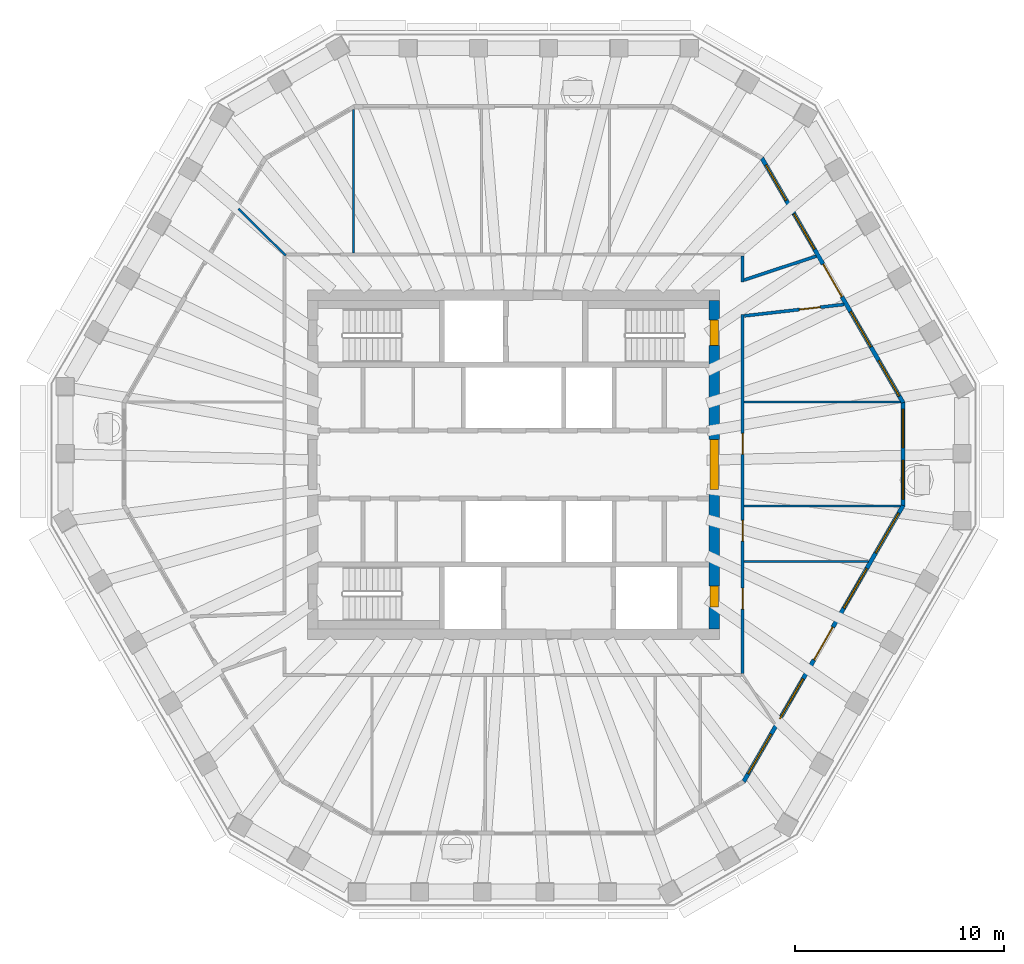
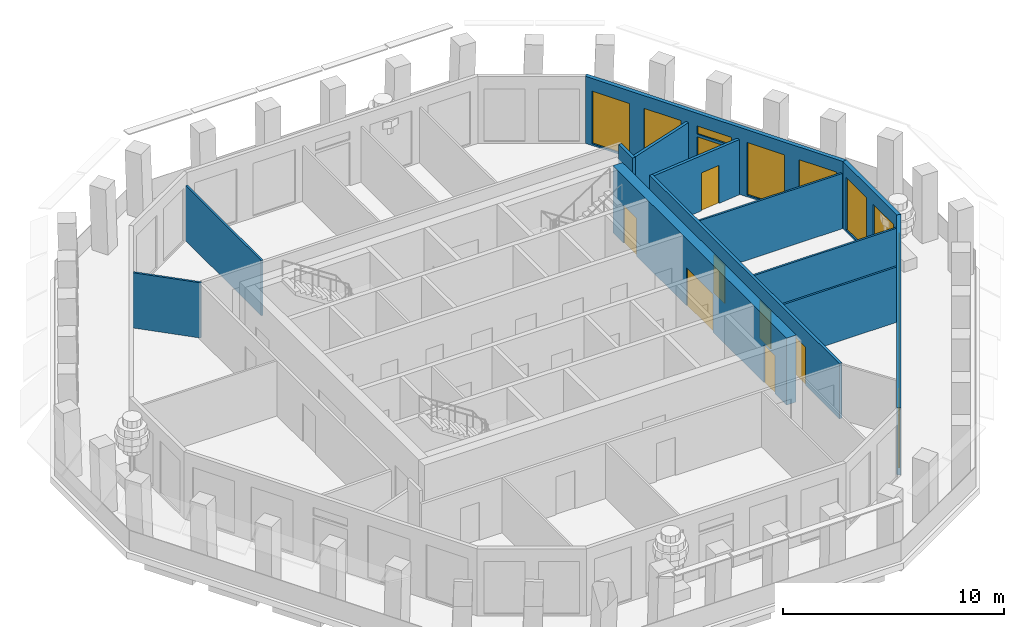
# One storey, part 6 of 11: 13 walls, 12 windows, 9 doors, 21 openings.
"""IFC4 building model written with IfcOpenShell, lengths in metres."""

from ifc_helpers import new_model, si_unit, direction, frame, frame_2d, origin, place, context, subcontext, project, spatial, polyline, rectangle, outline, extrude, material, layer, layer_set, type_object, element, fill, save


model = new_model("IFC4")

# Units and contexts
model_context = context("Model", 3, precision=1e-05, world=origin(), true_north=direction((0.0, 1.0)))
body_context = subcontext(model_context, "Body", "Model", "MODEL_VIEW")
ifc_project = project(units=[si_unit("LENGTHUNIT", "METRE"), si_unit("AREAUNIT", "SQUARE_METRE"), si_unit("VOLUMEUNIT", "CUBIC_METRE"), si_unit("PLANEANGLEUNIT", "RADIAN"), si_unit("MASSUNIT", "GRAM", prefix="KILO")], contexts=[model_context])

# Site, building, storey
site_placement = place(None, origin())
site = spatial("IfcSite", under=ifc_project, at=site_placement, CompositionType="ELEMENT")
building_placement = place(site_placement, origin())
building = spatial("IfcBuilding", under=site, at=building_placement, Name="Frailejon Research Tower", CompositionType="ELEMENT")
storey_placement = place(building_placement, frame((0.0, 0.0, 324.60009765625)))
storey = spatial("IfcBuildingStorey", under=building, at=storey_placement, Name="L72", CompositionType="ELEMENT", Elevation=324.60009765625)

# Wall, openings, doors
ifc_material_1 = material(Name="Concrete C50/60", Category="concrete")
ifc_layer_1 = layer(ifc_material_1, 0.5)
ifc_layer_set_1 = layer_set([ifc_layer_1], Name="Core shear wall 500 C50/60")
wall_type_1 = type_object("IfcWallType", Name="Core shear wall 500 C50/60", PredefinedType="SHEAR", material=ifc_layer_set_1)
wall_1_placement = place(storey_placement, frame((9.60009765625, -7.85009765625, 0.0), z_axis=(0.0, 0.0, 1.0), x_axis=(0.0, 1.0, 0.0)))
wall_1 = element("IfcWall", 1, at=wall_1_placement, inside=storey, type_object=wall_type_1, Name="Core shear wall", PredefinedType="SHEAR", context=body_context, shape_type="SweptSolid", body=[
    extrude(rectangle(XDim=15.7001953125, YDim=0.5, at=frame_2d((7.85009765625, 0.0))), origin(), (0.0, 0.0, 1.0), 3.699951171875),
])
opening_1_placement = place(wall_1_placement, frame((6.64990234375, 0.0, 0.0)))
opening_1 = element("IfcOpeningElement", 2, at=opening_1_placement, cuts=wall_1, Name="Opening D2", PredefinedType="OPENING", context=body_context, shape_type="SweptSolid", body=[
    extrude(rectangle(XDim=2.39990234375, YDim=2.10009765625, at=frame_2d((1.199951171875, 1.050048828125))), frame((0.0, 0.260009765625, 0.0), z_axis=(0.0, -1.0, 0.0), x_axis=(1.0, 0.0, 0.0)), (0.0, 0.0, 1.0), 0.52001953125),
])
opening_2_placement = place(wall_1_placement, frame((13.550048828125, 0.0, 0.0)))
opening_2 = element("IfcOpeningElement", 3, at=opening_2_placement, cuts=wall_1, Name="Opening D1", PredefinedType="OPENING", context=body_context, shape_type="SweptSolid", body=[
    extrude(rectangle(XDim=1.199951171875, YDim=2.10009765625, at=frame_2d((0.60009765625, 1.050048828125))), frame((0.0, 0.260009765625, 0.0), z_axis=(0.0, -1.0, 0.0), x_axis=(1.0, 0.0, 0.0)), (0.0, 0.0, 1.0), 0.52001953125),
])
opening_3_placement = place(wall_1_placement, frame((1.050048828125, 0.0, 0.0)))
opening_3 = element("IfcOpeningElement", 4, at=opening_3_placement, cuts=wall_1, Name="Opening D4", PredefinedType="OPENING", context=body_context, shape_type="SweptSolid", body=[
    extrude(rectangle(XDim=1.0, YDim=2.10009765625, at=frame_2d((0.5, 1.050048828125))), frame((0.0, 0.260009765625, 0.0), z_axis=(0.0, -1.0, 0.0), x_axis=(1.0, 0.0, 0.0)), (0.0, 0.0, 1.0), 0.52001953125),
])
ifc_material_2 = material(Name="Steel", Category="steel")
door_type_1 = type_object("IfcDoorType", Name="Lobby double door", OperationType="DOUBLE_DOOR_SINGLE_SWING", PredefinedType="DOOR", material=ifc_material_2)
door_1_placement = place(opening_1_placement, origin())
door_1 = element("IfcDoor", 5, at=door_1_placement, inside=storey, type_object=door_type_1, Name="Lobby door", OperationType="DOUBLE_DOOR_SINGLE_SWING", OverallHeight=2.10009765625, OverallWidth=2.39990234375, PredefinedType="DOOR", context=body_context, shape_type="SweptSolid", body=[
    extrude(rectangle(XDim=2.39990234375, YDim=2.10009765625, at=frame_2d((1.199951171875, 1.050048828125))), frame((0.0, 0.199951171875, 0.0), z_axis=(0.0, -1.0, 0.0), x_axis=(1.0, 0.0, 0.0)), (0.0, 0.0, 1.0), 0.39990234375),
])
fill(opening_1, door_1)
ifc_material_3 = material(Name="Steel", Category="steel")
door_type_2 = type_object("IfcDoorType", Name="Service door", OperationType="SINGLE_SWING_LEFT", PredefinedType="DOOR", material=ifc_material_3)
door_2_placement = place(opening_3_placement, origin())
door_2 = element("IfcDoor", 6, at=door_2_placement, inside=storey, type_object=door_type_2, Name="Riser door", OperationType="SINGLE_SWING_LEFT", OverallHeight=2.10009765625, OverallWidth=1.0, PredefinedType="DOOR", context=body_context, shape_type="SweptSolid", body=[
    extrude(rectangle(XDim=1.0, YDim=2.10009765625, at=frame_2d((0.5, 1.050048828125))), frame((0.0, 0.199951171875, 0.0), z_axis=(0.0, -1.0, 0.0), x_axis=(1.0, 0.0, 0.0)), (0.0, 0.0, 1.0), 0.39990234375),
])
fill(opening_3, door_2)
ifc_material_4 = material(Name="Steel", Category="steel")
door_type_3 = type_object("IfcDoorType", Name="Stair door", OperationType="SINGLE_SWING_LEFT", PredefinedType="DOOR", material=ifc_material_4)
door_3_placement = place(opening_2_placement, origin())
door_3 = element("IfcDoor", 7, at=door_3_placement, inside=storey, type_object=door_type_3, Name="Stair door ST3", OperationType="SINGLE_SWING_RIGHT", OverallHeight=2.10009765625, OverallWidth=1.199951171875, PredefinedType="DOOR", context=body_context, shape_type="SweptSolid", body=[
    extrude(rectangle(XDim=1.199951171875, YDim=2.10009765625, at=frame_2d((0.60009765625, 1.050048828125))), frame((0.0, 0.199951171875, 0.0), z_axis=(0.0, -1.0, 0.0), x_axis=(1.0, 0.0, 0.0)), (0.0, 0.0, 1.0), 0.39990234375),
])
fill(opening_2, door_3)

# Wall, opening, door
ifc_material_5 = material(Name="Gypsum board and masonry partition", Category="masonry")
ifc_layer_2 = layer(ifc_material_5, 0.14990234375)
ifc_layer_set_2 = layer_set([ifc_layer_2], Name="Corridor wall EI 60, gypsum on steel studs 150")
wall_type_2 = type_object("IfcWallType", Name="Corridor wall EI 60, gypsum on steel studs 150", PredefinedType="PARTITIONING", material=ifc_layer_set_2)
wall_2_placement = place(storey_placement, frame((11.0244140625, 7.1083984375, 0.0), z_axis=(0.0, 0.0, 1.0), x_axis=(0.993530704552, 0.113563810752, 0.0)))
wall_2 = element("IfcWall", 8, at=wall_2_placement, inside=storey, type_object=wall_type_2, Name="T:IW:L72:001", PredefinedType="PARTITIONING", context=body_context, shape_type="SweptSolid", body=[
    extrude(rectangle(XDim=4.79833984375, YDim=0.14990234375, at=frame_2d((2.399169921875, 0.0))), origin(), (0.0, 0.0, 1.0), 3.0498046875),
])
opening_4_placement = place(wall_2_placement, frame((2.655029296875, 0.0, 0.0)))
opening_4 = element("IfcOpeningElement", 9, at=opening_4_placement, cuts=wall_2, Name="Opening D2349", PredefinedType="OPENING", context=body_context, shape_type="SweptSolid", body=[
    extrude(rectangle(XDim=1.0, YDim=2.10009765625, at=frame_2d((0.5, 1.050048828125))), frame((0.0, 0.0849609375, 0.0), z_axis=(0.0, -1.0, 0.0), x_axis=(1.0, 0.0, 0.0)), (0.0, 0.0, 1.0), 0.169921875),
])
ifc_material_6 = material(Name="Timber door leaf", Category="wood")
door_type_4 = type_object("IfcDoorType", Name="Door single leaf, timber, steel frame 1000", OperationType="NOTDEFINED", PredefinedType="DOOR", material=ifc_material_6)
door_4_placement = place(opening_4_placement, origin())
door_4 = element("IfcDoor", 10, at=door_4_placement, inside=storey, type_object=door_type_4, Name="D2349", OperationType="SINGLE_SWING_RIGHT", OverallHeight=2.10009765625, OverallWidth=1.0, PredefinedType="DOOR", context=body_context, shape_type="SweptSolid", body=[
    extrude(rectangle(XDim=1.0, YDim=2.10009765625, at=frame_2d((0.5, 1.050048828125))), frame((0.0, 0.02490234375, 0.0), z_axis=(0.0, -1.0, 0.0), x_axis=(1.0, 0.0, 0.0)), (0.0, 0.0, 1.0), 0.050048828125),
])
fill(opening_4, door_4)

# Wall
wall_3_placement = place(storey_placement, frame((11.021240234375, 8.823486328125, 0.0), z_axis=(0.0, 0.0, 1.0), x_axis=(0.949442310498, 0.313941553535, 0.0)))
element("IfcWall", 11, at=wall_3_placement, inside=storey, type_object=wall_type_2, Name="T:IW:L72:002", PredefinedType="PARTITIONING", context=body_context, shape_type="SweptSolid", body=[
    extrude(rectangle(XDim=3.62158203125, YDim=0.14990234375, at=frame_2d((1.810791015625, 0.0))), origin(), (0.0, 0.0, 1.0), 3.0498046875),
])

# Wall, openings, doors
wall_4_placement = place(storey_placement, frame((10.949951171875, -9.97509765625, 0.0), z_axis=(0.0, 0.0, 1.0), x_axis=(0.0, 1.0, 0.0)))
wall_4 = element("IfcWall", 12, at=wall_4_placement, inside=storey, type_object=wall_type_2, Name="T:IW:L72:003", PredefinedType="PARTITIONING", context=body_context, shape_type="SweptSolid", body=[
    extrude(rectangle(XDim=17.150146484375, YDim=0.14990234375, at=frame_2d((8.5751953125, 0.0))), origin(), (0.0, 0.0, 1.0), 3.0498046875),
])
opening_5_placement = place(wall_4_placement, frame((10.467529296875, 0.0, 0.0)))
opening_5 = element("IfcOpeningElement", 13, at=opening_5_placement, cuts=wall_4, Name="Opening D2348", PredefinedType="OPENING", context=body_context, shape_type="SweptSolid", body=[
    extrude(rectangle(XDim=1.0, YDim=2.10009765625, at=frame_2d((0.5, 1.050048828125))), frame((0.0, 0.0849609375, 0.0), z_axis=(0.0, -1.0, 0.0), x_axis=(1.0, 0.0, 0.0)), (0.0, 0.0, 1.0), 0.169921875),
])
opening_6_placement = place(wall_4_placement, frame((3.066650390625, 0.0, 0.0)))
opening_6 = element("IfcOpeningElement", 14, at=opening_6_placement, cuts=wall_4, Name="Opening D2362", PredefinedType="OPENING", context=body_context, shape_type="SweptSolid", body=[
    extrude(rectangle(XDim=1.0, YDim=2.10009765625, at=frame_2d((0.5, 1.050048828125))), frame((0.0, 0.0849609375, 0.0), z_axis=(0.0, -1.0, 0.0), x_axis=(1.0, 0.0, 0.0)), (0.0, 0.0, 1.0), 0.169921875),
])
opening_7_placement = place(wall_4_placement, frame((6.3134765625, 0.0, 0.0)))
opening_7 = element("IfcOpeningElement", 15, at=opening_7_placement, cuts=wall_4, Name="Opening D2363", PredefinedType="OPENING", context=body_context, shape_type="SweptSolid", body=[
    extrude(rectangle(XDim=1.0, YDim=2.10009765625, at=frame_2d((0.5, 1.050048828125))), frame((0.0, 0.0849609375, 0.0), z_axis=(0.0, -1.0, 0.0), x_axis=(1.0, 0.0, 0.0)), (0.0, 0.0, 1.0), 0.169921875),
])
door_5_placement = place(opening_5_placement, origin())
door_5 = element("IfcDoor", 16, at=door_5_placement, inside=storey, type_object=door_type_4, Name="D2348", OperationType="SINGLE_SWING_RIGHT", OverallHeight=2.10009765625, OverallWidth=1.0, PredefinedType="DOOR", context=body_context, shape_type="SweptSolid", body=[
    extrude(rectangle(XDim=1.0, YDim=2.10009765625, at=frame_2d((0.5, 1.050048828125))), frame((0.0, 0.02490234375, 0.0), z_axis=(0.0, -1.0, 0.0), x_axis=(1.0, 0.0, 0.0)), (0.0, 0.0, 1.0), 0.050048828125),
])
fill(opening_5, door_5)
door_6_placement = place(opening_6_placement, origin())
door_6 = element("IfcDoor", 17, at=door_6_placement, inside=storey, type_object=door_type_4, Name="D2362", OperationType="SINGLE_SWING_RIGHT", OverallHeight=2.10009765625, OverallWidth=1.0, PredefinedType="DOOR", context=body_context, shape_type="SweptSolid", body=[
    extrude(rectangle(XDim=1.0, YDim=2.10009765625, at=frame_2d((0.5, 1.050048828125))), frame((0.0, 0.02490234375, 0.0), z_axis=(0.0, -1.0, 0.0), x_axis=(1.0, 0.0, 0.0)), (0.0, 0.0, 1.0), 0.050048828125),
])
fill(opening_6, door_6)
door_7_placement = place(opening_7_placement, origin())
door_7 = element("IfcDoor", 18, at=door_7_placement, inside=storey, type_object=door_type_4, Name="D2363", OperationType="SINGLE_SWING_LEFT", OverallHeight=2.10009765625, OverallWidth=1.0, PredefinedType="DOOR", context=body_context, shape_type="SweptSolid", body=[
    extrude(rectangle(XDim=1.0, YDim=2.10009765625, at=frame_2d((0.5, 1.050048828125))), frame((0.0, 0.02490234375, 0.0), z_axis=(0.0, -1.0, 0.0), x_axis=(1.0, 0.0, 0.0)), (0.0, 0.0, 1.0), 0.050048828125),
])
fill(opening_7, door_7)

# Walls
wall_5_placement = place(storey_placement, frame((10.949951171875, 8.72509765625, 0.0), z_axis=(0.0, 0.0, 1.0), x_axis=(0.0, 1.0, 0.0)))
element("IfcWall", 19, at=wall_5_placement, inside=storey, type_object=wall_type_2, Name="T:IW:L72:004", PredefinedType="PARTITIONING", context=body_context, shape_type="SweptSolid", body=[
    extrude(rectangle(XDim=1.25, YDim=0.14990234375, at=frame_2d((0.625, 0.0))), origin(), (0.0, 0.0, 1.0), 3.0498046875),
])
ifc_material_7 = material(Name="Gypsum board and masonry partition", Category="masonry")
ifc_layer_3 = layer(ifc_material_7, 0.10009765625)
ifc_layer_set_3 = layer_set([ifc_layer_3], Name="Partition, gypsum on steel studs 100")
wall_type_3 = type_object("IfcWallType", Name="Partition, gypsum on steel studs 100", PredefinedType="PARTITIONING", material=ifc_layer_set_3)
for number, where, z_axis, x_axis, name in (
    (20, (11.02490234375, 2.9853515625, 0.0), (0.0, 0.0, 1.0), (1.0, 0.0, 0.0), "T:IW:L72:012"),
    (21, (11.02490234375, -1.979736328125, 0.0), (0.0, 0.0, 1.0), (1.0, 0.0, 0.0), "T:IW:L72:013"),
):
    element("IfcWall", number, at=place(storey_placement, frame(where, z_axis=z_axis, x_axis=x_axis)), inside=storey, type_object=wall_type_3, Name=name, PredefinedType="PARTITIONING", context=body_context, shape_type="SweptSolid", body=[
        extrude(rectangle(XDim=7.4619140625, YDim=0.10009765625, at=frame_2d((3.73095703125, 0.0))), origin(), (0.0, 0.0, 1.0), 3.0498046875),
    ])
wall_6_placement = place(storey_placement, frame((-7.644287109375, 10.125, 0.0), z_axis=(0.0, 0.0, 1.0), x_axis=(0.0, 1.0, 0.0)))
element("IfcWall", 22, at=wall_6_placement, inside=storey, type_object=wall_type_3, Name="T:IW:L72:017", PredefinedType="PARTITIONING", context=body_context, shape_type="SweptSolid", body=[
    extrude(rectangle(XDim=6.843994140625, YDim=0.10009765625, at=frame_2d((3.421875, 0.0))), origin(), (0.0, 0.0, 1.0), 3.0498046875),
])
wall_7_placement = place(storey_placement, frame((-13.152099609375, 12.2255859375, 0.0), z_axis=(0.0, 0.0, 1.0), x_axis=(0.711405649546, -0.702781617427, 0.0)))
element("IfcWall", 23, at=wall_7_placement, inside=storey, type_object=wall_type_3, Name="T:IW:L72:018", PredefinedType="PARTITIONING", context=body_context, shape_type="SweptSolid", body=[
    extrude(rectangle(XDim=3.170654296875, YDim=0.10009765625, at=frame_2d((1.58544921875, 0.0))), origin(), (0.0, 0.0, 1.0), 3.0498046875),
])
wall_8_placement = place(storey_placement, frame((11.02490234375, -4.6279296875, 0.0), z_axis=(0.0, 0.0, 1.0), x_axis=(1.0, 0.0, 0.0)))
element("IfcWall", 24, at=wall_8_placement, inside=storey, type_object=wall_type_3, Name="T:IW:L72:024", PredefinedType="PARTITIONING", context=body_context, shape_type="SweptSolid", body=[
    extrude(rectangle(XDim=5.93310546875, YDim=0.10009765625, at=frame_2d((2.966552734375, 0.0))), origin(), (0.0, 0.0, 1.0), 3.0498046875),
])

# Wall, openings, windows
ifc_material_8 = material(Name="Concrete C40/50 precast window wall panel", Category="concrete")
ifc_layer_4 = layer(ifc_material_8, 0.199951171875)
ifc_layer_set_4 = layer_set([ifc_layer_4], Name="Window wall 200")
wall_type_4 = type_object("IfcWallType", Name="Window wall 200", PredefinedType="SOLIDWALL", material=ifc_layer_set_4)
wall_9_placement = place(storey_placement, frame((18.617919921875, -1.952880859375, 0.0), z_axis=(0.0, 0.0, 1.0), x_axis=(0.0, 1.0, 0.0)))
wall_9 = element("IfcWall", 25, at=wall_9_placement, inside=storey, type_object=wall_type_4, Name="Exterior wall L72", PredefinedType="SOLIDWALL", context=body_context, shape_type="SweptSolid", body=[
    extrude(outline(polyline([(-0.02685546875, -0.10009765625), (1.21435546875, -0.10009765625), (2.45556640625, -0.10009765625), (3.697021484375, -0.10009765625), (4.938232421875, -0.10009765625), (4.884521484375, 0.10009765625), (3.670166015625, 0.10009765625), (2.45556640625, 0.10009765625), (1.2412109375, 0.10009765625), (0.02685546875, 0.10009765625), (-0.02685546875, -0.10009765625)])), origin(), (0.0, 0.0, 1.0), 3.699951171875),
])
opening_8_placement = place(wall_9_placement, frame((0.302978515625, 0.0, 0.10009765625)))
opening_8 = element("IfcOpeningElement", 26, at=opening_8_placement, cuts=wall_9, Name="Opening W26", PredefinedType="OPENING", context=body_context, shape_type="SweptSolid", body=[
    extrude(rectangle(XDim=1.85009765625, YDim=2.89990234375, at=frame_2d((0.925048828125, 1.449951171875))), frame((0.0, 0.10986328125, 0.0), z_axis=(0.0, -1.0, 0.0), x_axis=(1.0, 0.0, 0.0)), (0.0, 0.0, 1.0), 0.219970703125),
])
opening_9_placement = place(wall_9_placement, frame((2.7587890625, 0.0, 0.10009765625)))
opening_9 = element("IfcOpeningElement", 27, at=opening_9_placement, cuts=wall_9, Name="Opening W26", PredefinedType="OPENING", context=body_context, shape_type="SweptSolid", body=[
    extrude(rectangle(XDim=1.85009765625, YDim=2.89990234375, at=frame_2d((0.925048828125, 1.449951171875))), frame((0.0, 0.10986328125, 0.0), z_axis=(0.0, -1.0, 0.0), x_axis=(1.0, 0.0, 0.0)), (0.0, 0.0, 1.0), 0.219970703125),
])
ifc_material_9 = material(Name="Aluminium framed double glazing", Category="aluminium")
window_type_1 = type_object("IfcWindowType", Name="Window 1850x2900", PartitioningType="SINGLE_PANEL", PredefinedType="WINDOW", material=ifc_material_9)
window_1_placement = place(opening_8_placement, origin())
window_1 = element("IfcWindow", 28, at=window_1_placement, inside=storey, type_object=window_type_1, Name="Window L72", OverallHeight=2.89990234375, OverallWidth=1.85009765625, PartitioningType="SINGLE_PANEL", PredefinedType="WINDOW", context=body_context, shape_type="SweptSolid", body=[
    extrude(rectangle(XDim=1.85009765625, YDim=2.89990234375, at=frame_2d((0.925048828125, 1.449951171875))), frame((0.0, 0.030029296875, 0.0), z_axis=(0.0, -1.0, 0.0), x_axis=(1.0, 0.0, 0.0)), (0.0, 0.0, 1.0), 0.06005859375),
])
fill(opening_8, window_1)
window_2_placement = place(opening_9_placement, origin())
window_2 = element("IfcWindow", 29, at=window_2_placement, inside=storey, type_object=window_type_1, Name="Window L72", OverallHeight=2.89990234375, OverallWidth=1.85009765625, PartitioningType="SINGLE_PANEL", PredefinedType="WINDOW", context=body_context, shape_type="SweptSolid", body=[
    extrude(rectangle(XDim=1.85009765625, YDim=2.89990234375, at=frame_2d((0.925048828125, 1.449951171875))), frame((0.0, 0.030029296875, 0.0), z_axis=(0.0, -1.0, 0.0), x_axis=(1.0, 0.0, 0.0)), (0.0, 0.0, 1.0), 0.06005859375),
])
fill(opening_9, window_2)

# Wall, openings, door, windows
wall_10_placement = place(storey_placement, frame((18.617919921875, 2.95849609375, 0.0), z_axis=(0.0, 0.0, 1.0), x_axis=(-0.500001755459, 0.866024390267, 0.0)))
wall_10 = element("IfcWall", 30, at=wall_10_placement, inside=storey, type_object=wall_type_4, Name="Exterior wall L72", PredefinedType="SOLIDWALL", context=body_context, shape_type="SweptSolid", body=[
    extrude(outline(polyline([(-0.02685546875, -0.10009765625), (1.01513671875, -0.10009765625), (2.057373046875, -0.10009765625), (3.099365234375, -0.10009765625), (4.1416015625, -0.10009765625), (5.18359375, -0.10009765625), (6.225830078125, -0.10009765625), (7.267822265625, -0.10009765625), (8.31005859375, -0.10009765625), (9.35205078125, -0.10009765625), (10.394287109375, -0.10009765625), (11.436279296875, -0.10009765625), (12.478515625, -0.10009765625), (13.5205078125, -0.10009765625), (13.466796875, 0.10009765625), (12.432861328125, 0.10009765625), (11.399169921875, 0.10009765625), (10.365234375, 0.10009765625), (9.33154296875, 0.10009765625), (8.297607421875, 0.10009765625), (7.263671875, 0.10009765625), (6.22998046875, 0.10009765625), (5.196044921875, 0.10009765625), (4.162109375, 0.10009765625), (3.12841796875, 0.10009765625), (2.094482421875, 0.10009765625), (1.060791015625, 0.10009765625), (0.02685546875, 0.10009765625), (-0.02685546875, -0.10009765625)])), origin(), (0.0, 0.0, 1.0), 3.699951171875),
])
opening_10_placement = place(wall_10_placement, frame((0.374267578125, 0.0, 0.10009765625)))
opening_10 = element("IfcOpeningElement", 31, at=opening_10_placement, cuts=wall_10, Name="Opening W27", PredefinedType="OPENING", context=body_context, shape_type="SweptSolid", body=[
    extrude(rectangle(XDim=1.949951171875, YDim=2.89990234375, at=frame_2d((0.97509765625, 1.449951171875))), frame((0.0, 0.10986328125, 0.0), z_axis=(0.0, -1.0, 0.0), x_axis=(1.0, 0.0, 0.0)), (0.0, 0.0, 1.0), 0.219970703125),
])
opening_11_placement = place(wall_10_placement, frame((3.072998046875, 0.0, 0.10009765625)))
opening_11 = element("IfcOpeningElement", 32, at=opening_11_placement, cuts=wall_10, Name="Opening W27", PredefinedType="OPENING", context=body_context, shape_type="SweptSolid", body=[
    extrude(rectangle(XDim=1.949951171875, YDim=2.89990234375, at=frame_2d((0.97509765625, 1.449951171875))), frame((0.0, 0.10986328125, 0.0), z_axis=(0.0, -1.0, 0.0), x_axis=(1.0, 0.0, 0.0)), (0.0, 0.0, 1.0), 0.219970703125),
])
opening_12_placement = place(wall_10_placement, frame((5.8466796875, 0.0, 0.0)))
opening_12 = element("IfcOpeningElement", 33, at=opening_12_placement, cuts=wall_10, Name="Opening LG72-1", PredefinedType="OPENING", context=body_context, shape_type="SweptSolid", body=[
    extrude(rectangle(XDim=1.800048828125, YDim=2.39990234375, at=frame_2d((0.89990234375, 1.199951171875))), frame((0.0, 0.10986328125, 0.0), z_axis=(0.0, -1.0, 0.0), x_axis=(1.0, 0.0, 0.0)), (0.0, 0.0, 1.0), 0.219970703125),
])
opening_13_placement = place(wall_10_placement, frame((5.8466796875, 0.0, 2.550048828125)))
opening_13 = element("IfcOpeningElement", 34, at=opening_13_placement, cuts=wall_10, Name="Opening W1", PredefinedType="OPENING", context=body_context, shape_type="SweptSolid", body=[
    extrude(rectangle(XDim=1.800048828125, YDim=0.449951171875, at=frame_2d((0.89990234375, 0.22509765625))), frame((0.0, 0.10986328125, 0.0), z_axis=(0.0, -1.0, 0.0), x_axis=(1.0, 0.0, 0.0)), (0.0, 0.0, 1.0), 0.219970703125),
])
opening_14_placement = place(wall_10_placement, frame((8.47021484375, 0.0, 0.10009765625)))
opening_14 = element("IfcOpeningElement", 35, at=opening_14_placement, cuts=wall_10, Name="Opening W27", PredefinedType="OPENING", context=body_context, shape_type="SweptSolid", body=[
    extrude(rectangle(XDim=1.949951171875, YDim=2.89990234375, at=frame_2d((0.97509765625, 1.449951171875))), frame((0.0, 0.10986328125, 0.0), z_axis=(0.0, -1.0, 0.0), x_axis=(1.0, 0.0, 0.0)), (0.0, 0.0, 1.0), 0.219970703125),
])
opening_15_placement = place(wall_10_placement, frame((11.1689453125, 0.0, 0.10009765625)))
opening_15 = element("IfcOpeningElement", 36, at=opening_15_placement, cuts=wall_10, Name="Opening W27", PredefinedType="OPENING", context=body_context, shape_type="SweptSolid", body=[
    extrude(rectangle(XDim=1.949951171875, YDim=2.89990234375, at=frame_2d((0.97509765625, 1.449951171875))), frame((0.0, 0.10986328125, 0.0), z_axis=(0.0, -1.0, 0.0), x_axis=(1.0, 0.0, 0.0)), (0.0, 0.0, 1.0), 0.219970703125),
])
ifc_material_10 = material(Name="Aluminium framed glazed door leaf", Category="aluminium")
door_type_5 = type_object("IfcDoorType", Name="Loggia door 1800x2400", OperationType="DOUBLE_DOOR_SINGLE_SWING", PredefinedType="DOOR", material=ifc_material_10)
door_8_placement = place(opening_12_placement, origin())
door_8 = element("IfcDoor", 37, at=door_8_placement, inside=storey, type_object=door_type_5, Name="Door LG72-1", OperationType="DOUBLE_DOOR_SINGLE_SWING", OverallHeight=2.39990234375, OverallWidth=1.800048828125, PredefinedType="DOOR", context=body_context, shape_type="SweptSolid", body=[
    extrude(rectangle(XDim=1.800048828125, YDim=2.39990234375, at=frame_2d((0.89990234375, 1.199951171875))), frame((0.0, 0.02490234375, 0.0), z_axis=(0.0, -1.0, 0.0), x_axis=(1.0, 0.0, 0.0)), (0.0, 0.0, 1.0), 0.050048828125),
])
fill(opening_12, door_8)
ifc_material_11 = material(Name="Aluminium framed double glazing", Category="aluminium")
window_type_2 = type_object("IfcWindowType", Name="Window 1800x450", PartitioningType="SINGLE_PANEL", PredefinedType="WINDOW", material=ifc_material_11)
window_3_placement = place(opening_13_placement, origin())
window_3 = element("IfcWindow", 38, at=window_3_placement, inside=storey, type_object=window_type_2, Name="Window L72", OverallHeight=0.449951171875, OverallWidth=1.800048828125, PartitioningType="SINGLE_PANEL", PredefinedType="WINDOW", context=body_context, shape_type="SweptSolid", body=[
    extrude(rectangle(XDim=1.800048828125, YDim=0.449951171875, at=frame_2d((0.89990234375, 0.22509765625))), frame((0.0, 0.030029296875, 0.0), z_axis=(0.0, -1.0, 0.0), x_axis=(1.0, 0.0, 0.0)), (0.0, 0.0, 1.0), 0.06005859375),
])
fill(opening_13, window_3)
ifc_material_12 = material(Name="Aluminium framed double glazing", Category="aluminium")
window_type_3 = type_object("IfcWindowType", Name="Window 1950x2900", PartitioningType="SINGLE_PANEL", PredefinedType="WINDOW", material=ifc_material_12)
window_4_placement = place(opening_10_placement, origin())
window_4 = element("IfcWindow", 39, at=window_4_placement, inside=storey, type_object=window_type_3, Name="Window L72", OverallHeight=2.89990234375, OverallWidth=1.949951171875, PartitioningType="SINGLE_PANEL", PredefinedType="WINDOW", context=body_context, shape_type="SweptSolid", body=[
    extrude(rectangle(XDim=1.949951171875, YDim=2.89990234375, at=frame_2d((0.97509765625, 1.449951171875))), frame((0.0, 0.030029296875, 0.0), z_axis=(0.0, -1.0, 0.0), x_axis=(1.0, 0.0, 0.0)), (0.0, 0.0, 1.0), 0.06005859375),
])
fill(opening_10, window_4)
window_5_placement = place(opening_11_placement, origin())
window_5 = element("IfcWindow", 40, at=window_5_placement, inside=storey, type_object=window_type_3, Name="Window L72", OverallHeight=2.89990234375, OverallWidth=1.949951171875, PartitioningType="SINGLE_PANEL", PredefinedType="WINDOW", context=body_context, shape_type="SweptSolid", body=[
    extrude(rectangle(XDim=1.949951171875, YDim=2.89990234375, at=frame_2d((0.97509765625, 1.449951171875))), frame((0.0, 0.030029296875, 0.0), z_axis=(0.0, -1.0, 0.0), x_axis=(1.0, 0.0, 0.0)), (0.0, 0.0, 1.0), 0.06005859375),
])
fill(opening_11, window_5)
window_6_placement = place(opening_14_placement, origin())
window_6 = element("IfcWindow", 41, at=window_6_placement, inside=storey, type_object=window_type_3, Name="Window L72", OverallHeight=2.89990234375, OverallWidth=1.949951171875, PartitioningType="SINGLE_PANEL", PredefinedType="WINDOW", context=body_context, shape_type="SweptSolid", body=[
    extrude(rectangle(XDim=1.949951171875, YDim=2.89990234375, at=frame_2d((0.97509765625, 1.449951171875))), frame((0.0, 0.030029296875, 0.0), z_axis=(0.0, -1.0, 0.0), x_axis=(1.0, 0.0, 0.0)), (0.0, 0.0, 1.0), 0.06005859375),
])
fill(opening_14, window_6)
window_7_placement = place(opening_15_placement, origin())
window_7 = element("IfcWindow", 42, at=window_7_placement, inside=storey, type_object=window_type_3, Name="Window L72", OverallHeight=2.89990234375, OverallWidth=1.949951171875, PartitioningType="SINGLE_PANEL", PredefinedType="WINDOW", context=body_context, shape_type="SweptSolid", body=[
    extrude(rectangle(XDim=1.949951171875, YDim=2.89990234375, at=frame_2d((0.97509765625, 1.449951171875))), frame((0.0, 0.030029296875, 0.0), z_axis=(0.0, -1.0, 0.0), x_axis=(1.0, 0.0, 0.0)), (0.0, 0.0, 1.0), 0.06005859375),
])
fill(opening_15, window_7)

wall_11_placement = place(storey_placement, frame((11.000244140625, -15.14697265625, 0.0), z_axis=(0.0, 0.0, 1.0), x_axis=(0.500003117631, 0.866023603812, 0.0)))
wall_11 = element("IfcWall", 43, at=wall_11_placement, inside=storey, type_object=wall_type_4, Name="Exterior wall L72", PredefinedType="SOLIDWALL", context=body_context, shape_type="SweptSolid", body=[
    extrude(outline(polyline([(-0.02685546875, -0.10009765625), (0.992431640625, -0.10009765625), (2.01171875, -0.10009765625), (3.031005859375, -0.10009765625), (4.05029296875, -0.10009765625), (5.069580078125, -0.10009765625), (6.0888671875, -0.10009765625), (7.108154296875, -0.10009765625), (8.127197265625, -0.10009765625), (9.146484375, -0.10009765625), (10.165771484375, -0.10009765625), (11.18505859375, -0.10009765625), (12.204345703125, -0.10009765625), (13.2236328125, -0.10009765625), (14.242919921875, -0.10009765625), (15.26220703125, -0.10009765625), (15.20849609375, 0.10009765625), (14.1962890625, 0.10009765625), (13.184326171875, 0.10009765625), (12.172119140625, 0.10009765625), (11.16015625, 0.10009765625), (10.14794921875, 0.10009765625), (9.1357421875, 0.10009765625), (8.123779296875, 0.10009765625), (7.111572265625, 0.10009765625), (6.099609375, 0.10009765625), (5.08740234375, 0.10009765625), (4.0751953125, 0.10009765625), (3.063232421875, 0.10009765625), (2.051025390625, 0.10009765625), (1.0390625, 0.10009765625), (0.02685546875, 0.10009765625), (-0.02685546875, -0.10009765625)])), origin(), (0.0, 0.0, 1.0), 3.699951171875),
])
opening_16_placement = place(wall_11_placement, frame((0.423583984375, 0.0, 0.10009765625)))
opening_16 = element("IfcOpeningElement", 44, at=opening_16_placement, cuts=wall_11, Name="Opening W28", PredefinedType="OPENING", context=body_context, shape_type="SweptSolid", body=[
    extrude(rectangle(XDim=2.199951171875, YDim=2.89990234375, at=frame_2d((1.10009765625, 1.449951171875))), frame((0.0, 0.10986328125, 0.0), z_axis=(0.0, -1.0, 0.0), x_axis=(1.0, 0.0, 0.0)), (0.0, 0.0, 1.0), 0.219970703125),
])
opening_17_placement = place(wall_11_placement, frame((3.470458984375, 0.0, 0.10009765625)))
opening_17 = element("IfcOpeningElement", 45, at=opening_17_placement, cuts=wall_11, Name="Opening W28", PredefinedType="OPENING", context=body_context, shape_type="SweptSolid", body=[
    extrude(rectangle(XDim=2.199951171875, YDim=2.89990234375, at=frame_2d((1.10009765625, 1.449951171875))), frame((0.0, 0.10986328125, 0.0), z_axis=(0.0, -1.0, 0.0), x_axis=(1.0, 0.0, 0.0)), (0.0, 0.0, 1.0), 0.219970703125),
])
opening_18_placement = place(wall_11_placement, frame((6.717529296875, 0.0, 0.0)))
opening_18 = element("IfcOpeningElement", 46, at=opening_18_placement, cuts=wall_11, Name="Opening LG72-6", PredefinedType="OPENING", context=body_context, shape_type="SweptSolid", body=[
    extrude(rectangle(XDim=1.800048828125, YDim=2.39990234375, at=frame_2d((0.89990234375, 1.199951171875))), frame((0.0, 0.10986328125, 0.0), z_axis=(0.0, -1.0, 0.0), x_axis=(1.0, 0.0, 0.0)), (0.0, 0.0, 1.0), 0.219970703125),
])
opening_19_placement = place(wall_11_placement, frame((6.717529296875, 0.0, 2.550048828125)))
opening_19 = element("IfcOpeningElement", 47, at=opening_19_placement, cuts=wall_11, Name="Opening W1", PredefinedType="OPENING", context=body_context, shape_type="SweptSolid", body=[
    extrude(rectangle(XDim=1.800048828125, YDim=0.449951171875, at=frame_2d((0.89990234375, 0.22509765625))), frame((0.0, 0.10986328125, 0.0), z_axis=(0.0, -1.0, 0.0), x_axis=(1.0, 0.0, 0.0)), (0.0, 0.0, 1.0), 0.219970703125),
])
opening_20_placement = place(wall_11_placement, frame((9.564697265625, 0.0, 0.10009765625)))
opening_20 = element("IfcOpeningElement", 48, at=opening_20_placement, cuts=wall_11, Name="Opening W28", PredefinedType="OPENING", context=body_context, shape_type="SweptSolid", body=[
    extrude(rectangle(XDim=2.199951171875, YDim=2.89990234375, at=frame_2d((1.10009765625, 1.449951171875))), frame((0.0, 0.10986328125, 0.0), z_axis=(0.0, -1.0, 0.0), x_axis=(1.0, 0.0, 0.0)), (0.0, 0.0, 1.0), 0.219970703125),
])
opening_21_placement = place(wall_11_placement, frame((12.611572265625, 0.0, 0.10009765625)))
opening_21 = element("IfcOpeningElement", 49, at=opening_21_placement, cuts=wall_11, Name="Opening W28", PredefinedType="OPENING", context=body_context, shape_type="SweptSolid", body=[
    extrude(rectangle(XDim=2.199951171875, YDim=2.89990234375, at=frame_2d((1.10009765625, 1.449951171875))), frame((0.0, 0.10986328125, 0.0), z_axis=(0.0, -1.0, 0.0), x_axis=(1.0, 0.0, 0.0)), (0.0, 0.0, 1.0), 0.219970703125),
])
door_9_placement = place(opening_18_placement, origin())
door_9 = element("IfcDoor", 50, at=door_9_placement, inside=storey, type_object=door_type_5, Name="Door LG72-6", OperationType="DOUBLE_DOOR_SINGLE_SWING", OverallHeight=2.39990234375, OverallWidth=1.800048828125, PredefinedType="DOOR", context=body_context, shape_type="SweptSolid", body=[
    extrude(rectangle(XDim=1.800048828125, YDim=2.39990234375, at=frame_2d((0.89990234375, 1.199951171875))), frame((0.0, 0.02490234375, 0.0), z_axis=(0.0, -1.0, 0.0), x_axis=(1.0, 0.0, 0.0)), (0.0, 0.0, 1.0), 0.050048828125),
])
fill(opening_18, door_9)
window_8_placement = place(opening_19_placement, origin())
window_8 = element("IfcWindow", 51, at=window_8_placement, inside=storey, type_object=window_type_2, Name="Window L72", OverallHeight=0.449951171875, OverallWidth=1.800048828125, PartitioningType="SINGLE_PANEL", PredefinedType="WINDOW", context=body_context, shape_type="SweptSolid", body=[
    extrude(rectangle(XDim=1.800048828125, YDim=0.449951171875, at=frame_2d((0.89990234375, 0.22509765625))), frame((0.0, 0.030029296875, 0.0), z_axis=(0.0, -1.0, 0.0), x_axis=(1.0, 0.0, 0.0)), (0.0, 0.0, 1.0), 0.06005859375),
])
fill(opening_19, window_8)
ifc_material_13 = material(Name="Aluminium framed double glazing", Category="aluminium")
window_type_4 = type_object("IfcWindowType", Name="Window 2200x2900", PartitioningType="SINGLE_PANEL", PredefinedType="WINDOW", material=ifc_material_13)
window_9_placement = place(opening_16_placement, origin())
window_9 = element("IfcWindow", 52, at=window_9_placement, inside=storey, type_object=window_type_4, Name="Window L72", OverallHeight=2.89990234375, OverallWidth=2.199951171875, PartitioningType="SINGLE_PANEL", PredefinedType="WINDOW", context=body_context, shape_type="SweptSolid", body=[
    extrude(rectangle(XDim=2.199951171875, YDim=2.89990234375, at=frame_2d((1.10009765625, 1.449951171875))), frame((0.0, 0.030029296875, 0.0), z_axis=(0.0, -1.0, 0.0), x_axis=(1.0, 0.0, 0.0)), (0.0, 0.0, 1.0), 0.06005859375),
])
fill(opening_16, window_9)
window_10_placement = place(opening_17_placement, origin())
window_10 = element("IfcWindow", 53, at=window_10_placement, inside=storey, type_object=window_type_4, Name="Window L72", OverallHeight=2.89990234375, OverallWidth=2.199951171875, PartitioningType="SINGLE_PANEL", PredefinedType="WINDOW", context=body_context, shape_type="SweptSolid", body=[
    extrude(rectangle(XDim=2.199951171875, YDim=2.89990234375, at=frame_2d((1.10009765625, 1.449951171875))), frame((0.0, 0.030029296875, 0.0), z_axis=(0.0, -1.0, 0.0), x_axis=(1.0, 0.0, 0.0)), (0.0, 0.0, 1.0), 0.06005859375),
])
fill(opening_17, window_10)
window_11_placement = place(opening_20_placement, origin())
window_11 = element("IfcWindow", 54, at=window_11_placement, inside=storey, type_object=window_type_4, Name="Window L72", OverallHeight=2.89990234375, OverallWidth=2.199951171875, PartitioningType="SINGLE_PANEL", PredefinedType="WINDOW", context=body_context, shape_type="SweptSolid", body=[
    extrude(rectangle(XDim=2.199951171875, YDim=2.89990234375, at=frame_2d((1.10009765625, 1.449951171875))), frame((0.0, 0.030029296875, 0.0), z_axis=(0.0, -1.0, 0.0), x_axis=(1.0, 0.0, 0.0)), (0.0, 0.0, 1.0), 0.06005859375),
])
fill(opening_20, window_11)
window_12_placement = place(opening_21_placement, origin())
window_12 = element("IfcWindow", 55, at=window_12_placement, inside=storey, type_object=window_type_4, Name="Window L72", OverallHeight=2.89990234375, OverallWidth=2.199951171875, PartitioningType="SINGLE_PANEL", PredefinedType="WINDOW", context=body_context, shape_type="SweptSolid", body=[
    extrude(rectangle(XDim=2.199951171875, YDim=2.89990234375, at=frame_2d((1.10009765625, 1.449951171875))), frame((0.0, 0.030029296875, 0.0), z_axis=(0.0, -1.0, 0.0), x_axis=(1.0, 0.0, 0.0)), (0.0, 0.0, 1.0), 0.06005859375),
])
fill(opening_21, window_12)

save(model, "model.ifc")
